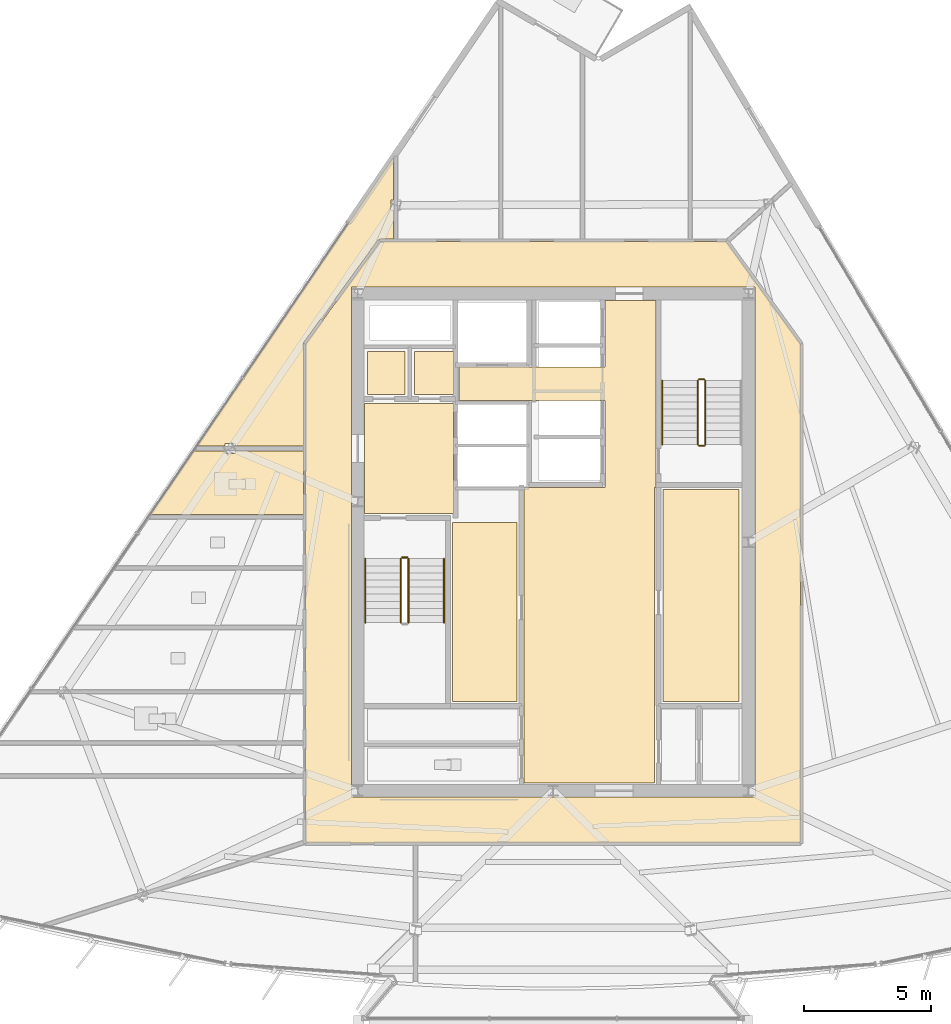
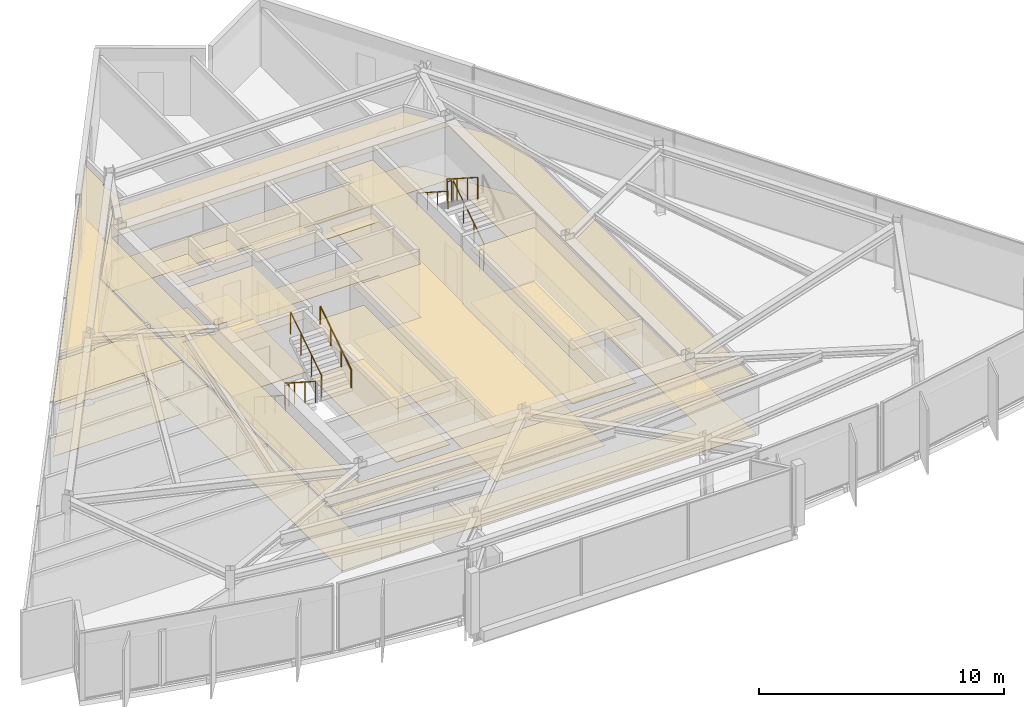
# One storey, part 12 of 14: 18 coverings, 10 railings.
"""IFC4 building model written with IfcOpenShell, lengths in metres."""

from ifc_helpers import new_model, si_unit, direction, frame, origin, origin_2d, place, context, subcontext, project, spatial, polyline, circle, outline, extrude, material, layer, layer_set, type_object, element, save


model = new_model("IFC4")

# Units and contexts
model_context = context("Model", 3, precision=1e-05, world=origin(), true_north=direction((0.0, 1.0)))
body_context = subcontext(model_context, "Body", "Model", "MODEL_VIEW")
ifc_project = project(units=[si_unit("LENGTHUNIT", "METRE"), si_unit("AREAUNIT", "SQUARE_METRE"), si_unit("VOLUMEUNIT", "CUBIC_METRE"), si_unit("PLANEANGLEUNIT", "RADIAN"), si_unit("MASSUNIT", "GRAM", prefix="KILO")], contexts=[model_context])

# Site, building, storey
site_placement = place(None, origin())
site = spatial("IfcSite", under=ifc_project, at=site_placement, CompositionType="ELEMENT")
building_placement = place(site_placement, origin())
building = spatial("IfcBuilding", under=site, at=building_placement, Name="Savorim Split Tower", CompositionType="ELEMENT")
storey_placement = place(building_placement, frame((0.0, 0.0, 234.300048828125)))
storey = spatial("IfcBuildingStorey", under=building, at=storey_placement, Name="L62", CompositionType="ELEMENT", Elevation=234.300048828125)

# Coverings
ifc_material_1 = material(Name="Mineral Fibre Acoustic Ceiling")
ifc_layer_1 = layer(ifc_material_1, 0.02490234375)
ifc_layer_set_1 = layer_set([ifc_layer_1], Name="COV-CEIL-25")
covering_type_1 = type_object("IfcCoveringType", Name="COV-CEIL-25", PredefinedType="CEILING", material=ifc_layer_set_1)
covering_1_placement = place(storey_placement, frame((0.0, 0.0, 2.669921875)))
element("IfcCovering", 1, at=covering_1_placement, inside=storey, type_object=covering_type_1, Name="L62 Firefighting Lift Lobby Acoustic Ceiling", PredefinedType="CEILING", context=body_context, shape_type="SweptSolid", body=[
    extrude(outline(polyline([(-7.429931640625, 5.8701171875), (-7.429931640625, 1.530029296875), (-3.929931640625, 1.530029296875), (-3.929931640625, 5.8701171875), (-7.429931640625, 5.8701171875)])), origin(), (0.0, 0.0, 1.0), 0.025146484375),
])
covering_2_placement = place(storey_placement, frame((0.0, 0.0, 2.669921875)))
element("IfcCovering", 2, at=covering_2_placement, inside=storey, type_object=covering_type_1, Name="L62 Electrical Riser Acoustic Ceiling", PredefinedType="CEILING", context=body_context, shape_type="SweptSolid", body=[
    extrude(outline(polyline([(-7.320068359375, 7.919921875), (-7.320068359375, 6.22998046875), (-5.830078125, 6.22998046875), (-5.830078125, 7.919921875), (-7.320068359375, 7.919921875)])), origin(), (0.0, 0.0, 1.0), 0.025146484375),
])
covering_3_placement = place(storey_placement, frame((0.0, 0.0, 2.669921875)))
element("IfcCovering", 3, at=covering_3_placement, inside=storey, type_object=covering_type_1, Name="L62 Telecom Riser Acoustic Ceiling", PredefinedType="CEILING", context=body_context, shape_type="SweptSolid", body=[
    extrude(outline(polyline([(-5.469970703125, 7.919921875), (-5.469970703125, 6.22998046875), (-3.929931640625, 6.22998046875), (-3.929931640625, 7.919921875), (-5.469970703125, 7.919921875)])), origin(), (0.0, 0.0, 1.0), 0.025146484375),
])
covering_4_placement = place(storey_placement, frame((0.0, 0.0, 2.669921875)))
element("IfcCovering", 4, at=covering_4_placement, inside=storey, type_object=covering_type_1, Name="L62 Lift Lobby Acoustic Ceiling", PredefinedType="CEILING", context=body_context, shape_type="SweptSolid", body=[
    extrude(outline(polyline([(2.050048828125, 2.550048828125), (-1.14990234375, 2.550048828125), (-1.14990234375, -9.10009765625), (4.0, -9.10009765625), (4.0, 2.550048828125), (4.050048828125, 2.550048828125), (4.050048828125, 5.97998046875), (4.050048828125, 7.300048828125), (4.050048828125, 9.929931640625), (2.050048828125, 9.929931640625), (2.050048828125, 7.300048828125), (-3.699951171875, 7.300048828125), (-3.699951171875, 5.97998046875), (2.050048828125, 5.97998046875), (2.050048828125, 2.550048828125)])), origin(), (0.0, 0.0, 1.0), 0.025146484375),
])
covering_5_placement = place(storey_placement, frame((0.0, 0.0, 2.669921875)))
element("IfcCovering", 5, at=covering_5_placement, inside=storey, type_object=covering_type_1, Name="L62 Shared Pantry and Linen Room Acoustic Ceiling", PredefinedType="CEILING", context=body_context, shape_type="SweptSolid", body=[
    extrude(outline(polyline([(4.330078125, 2.469970703125), (4.330078125, -5.8701171875), (7.320068359375, -5.8701171875), (7.320068359375, 2.469970703125), (4.330078125, 2.469970703125)])), origin(), (0.0, 0.0, 1.0), 0.025146484375),
])
covering_6_placement = place(storey_placement, frame((0.0, 0.0, 2.669921875)))
element("IfcCovering", 6, at=covering_6_placement, inside=storey, type_object=covering_type_1, Name="L62 Housekeeping and Parcel Room Acoustic Ceiling", PredefinedType="CEILING", context=body_context, shape_type="SweptSolid", body=[
    extrude(outline(polyline([(-3.969970703125, 1.169921875), (-3.969970703125, -5.8701171875), (-1.429931640625, -5.8701171875), (-1.429931640625, 1.169921875), (-3.969970703125, 1.169921875)])), origin(), (0.0, 0.0, 1.0), 0.025146484375),
])
covering_7_placement = place(storey_placement, frame((0.0, 0.0, 2.669921875)))
element("IfcCovering", 7, at=covering_7_placement, inside=storey, type_object=covering_type_1, Name="L62 Corridor Acoustic Ceiling", PredefinedType="CEILING", context=body_context, shape_type="SweptSolid", body=[
    extrude(outline(polyline([(6.809326171875, 12.2490234375), (6.8046875, 12.249755859375), (6.800048828125, 12.25), (-6.800048828125, 12.25), (-6.8046875, 12.249755859375), (-6.809326171875, 12.2490234375), (-6.81396484375, 12.248046875), (-6.818359375, 12.24658203125), (-6.82275390625, 12.244384765625), (-6.826904296875, 12.2421875), (-6.830810546875, 12.239501953125), (-6.834228515625, 12.236328125), (-6.83740234375, 12.23291015625), (-6.840576171875, 12.229248046875), (-9.740478515625, 8.229248046875), (-9.743408203125, 8.22509765625), (-9.74560546875, 8.22021484375), (-9.74755859375, 8.21533203125), (-9.748779296875, 8.21044921875), (-9.749755859375, 8.205078125), (-9.75, 8.199951171875), (-9.75, -11.39990234375), (-9.749755859375, -11.40478515625), (-9.7490234375, -11.409912109375), (-9.747802734375, -11.41455078125), (-9.74609375, -11.419189453125), (-9.744140625, -11.423583984375), (-9.74169921875, -11.427734375), (-9.73876953125, -11.431640625), (-9.7353515625, -11.435302734375), (-9.731689453125, -11.438720703125), (-9.727783203125, -11.441650390625), (-9.7236328125, -11.444091796875), (-9.718994140625, -11.4462890625), (-9.714599609375, -11.44775390625), (-9.709716796875, -11.448974609375), (-9.704833984375, -11.44970703125), (-9.699951171875, -11.449951171875), (9.699951171875, -11.449951171875), (9.704833984375, -11.44970703125), (9.709716796875, -11.448974609375), (9.714599609375, -11.44775390625), (9.718994140625, -11.4462890625), (9.7236328125, -11.444091796875), (9.727783203125, -11.441650390625), (9.731689453125, -11.438720703125), (9.7353515625, -11.435302734375), (9.73876953125, -11.431640625), (9.74169921875, -11.427734375), (9.744140625, -11.423583984375), (9.74609375, -11.419189453125), (9.747802734375, -11.41455078125), (9.7490234375, -11.409912109375), (9.749755859375, -11.40478515625), (9.75, -11.39990234375), (9.75, 8.199951171875), (9.749755859375, 8.205078125), (9.748779296875, 8.21044921875), (9.74755859375, 8.21533203125), (9.74560546875, 8.22021484375), (9.743408203125, 8.22509765625), (9.740478515625, 8.229248046875), (6.840576171875, 12.229248046875), (6.83740234375, 12.23291015625), (6.834228515625, 12.236328125), (6.830810546875, 12.239501953125), (6.826904296875, 12.2421875), (6.82275390625, 12.244384765625), (6.818359375, 12.24658203125), (6.81396484375, 12.248046875), (6.809326171875, 12.2490234375)]), holes=[polyline([(-7.949951171875, 10.449951171875), (-7.949951171875, -9.64990234375), (7.949951171875, -9.64990234375), (7.949951171875, 10.449951171875), (-7.949951171875, 10.449951171875)])]), origin(), (0.0, 0.0, 1.0), 0.025146484375),
])
covering_8_placement = place(storey_placement, frame((0.0, 0.0, 2.669921875)))
element("IfcCovering", 8, at=covering_8_placement, inside=storey, type_object=covering_type_1, Name="L62 Quiet Study Room Acoustic Ceiling", PredefinedType="CEILING", context=body_context, shape_type="SweptSolid", body=[
    extrude(outline(polyline([(-6.813232421875, 12.33935546875), (-6.800048828125, 12.340087890625), (-6.296875, 12.340087890625), (-6.296875, 13.48828125), (-6.398681640625, 13.48828125), (-6.398681640625, 13.88037109375), (-6.296875, 13.88037109375), (-6.296875, 15.576171875), (-14.043212890625, 4.189208984375), (-12.9228515625, 4.189208984375), (-12.9228515625, 4.2900390625), (-12.52880859375, 4.2900390625), (-12.52880859375, 4.189208984375), (-9.840087890625, 4.189208984375), (-9.840087890625, 8.199951171875), (-9.839111328125, 8.214599609375), (-9.8369140625, 8.22900390625), (-9.833251953125, 8.2431640625), (-9.827880859375, 8.2568359375), (-9.8212890625, 8.27001953125), (-9.813232421875, 8.2822265625), (-6.913330078125, 12.2822265625), (-6.905029296875, 12.29248046875), (-6.89599609375, 12.302001953125), (-6.885986328125, 12.310546875), (-6.875, 12.318115234375), (-6.863525390625, 12.32470703125), (-6.8515625, 12.330078125), (-6.839111328125, 12.33447265625), (-6.826416015625, 12.33740234375), (-6.813232421875, 12.33935546875)])), origin(), (0.0, 0.0, 1.0), 0.025146484375),
])
covering_9_placement = place(storey_placement, frame((0.0, 0.0, 2.669921875)))
element("IfcCovering", 9, at=covering_9_placement, inside=storey, type_object=covering_type_1, Name="L62 Shared Bathroom Acoustic Ceiling", PredefinedType="CEILING", context=body_context, shape_type="SweptSolid", body=[
    extrude(outline(polyline([(-12.9228515625, 3.9990234375), (-14.04736328125, 3.9990234375), (-14.142333984375, 3.9990234375), (-14.142333984375, 4.043212890625), (-15.884521484375, 1.482177734375), (-9.840087890625, 1.482177734375), (-9.840087890625, 3.9990234375), (-12.52880859375, 3.9990234375), (-12.52880859375, 3.898193359375), (-12.9228515625, 3.898193359375), (-12.9228515625, 3.9990234375)])), origin(), (0.0, 0.0, 1.0), 0.025146484375),
])
ifc_material_2 = material(Name="Porcelain Stoneware Flooring", Category="masonry")
ifc_layer_2 = layer(ifc_material_2, 0.02001953125)
ifc_layer_set_2 = layer_set([ifc_layer_2], Name="COV-FLOR-20")
covering_type_2 = type_object("IfcCoveringType", Name="COV-FLOR-20", PredefinedType="FLOORING", material=ifc_layer_set_2)
covering_10_placement = place(storey_placement, origin())
element("IfcCovering", 10, at=covering_10_placement, inside=storey, type_object=covering_type_2, Name="L62 Firefighting Lift Lobby Porcelain Flooring", PredefinedType="FLOORING", context=body_context, shape_type="SweptSolid", body=[
    extrude(outline(polyline([(-7.429931640625, 5.8701171875), (-7.429931640625, 1.530029296875), (-3.929931640625, 1.530029296875), (-3.929931640625, 5.8701171875), (-7.429931640625, 5.8701171875)])), origin(), (0.0, 0.0, 1.0), 0.02001953125),
])
covering_11_placement = place(storey_placement, origin())
element("IfcCovering", 11, at=covering_11_placement, inside=storey, type_object=covering_type_2, Name="L62 Electrical Riser Porcelain Flooring", PredefinedType="FLOORING", context=body_context, shape_type="SweptSolid", body=[
    extrude(outline(polyline([(-7.320068359375, 7.919921875), (-7.320068359375, 6.22998046875), (-5.830078125, 6.22998046875), (-5.830078125, 7.919921875), (-7.320068359375, 7.919921875)])), origin(), (0.0, 0.0, 1.0), 0.02001953125),
])
covering_12_placement = place(storey_placement, origin())
element("IfcCovering", 12, at=covering_12_placement, inside=storey, type_object=covering_type_2, Name="L62 Telecom Riser Porcelain Flooring", PredefinedType="FLOORING", context=body_context, shape_type="SweptSolid", body=[
    extrude(outline(polyline([(-5.469970703125, 7.919921875), (-5.469970703125, 6.22998046875), (-3.929931640625, 6.22998046875), (-3.929931640625, 7.919921875), (-5.469970703125, 7.919921875)])), origin(), (0.0, 0.0, 1.0), 0.02001953125),
])
covering_13_placement = place(storey_placement, origin())
element("IfcCovering", 13, at=covering_13_placement, inside=storey, type_object=covering_type_2, Name="L62 Lift Lobby Porcelain Flooring", PredefinedType="FLOORING", context=body_context, shape_type="SweptSolid", body=[
    extrude(outline(polyline([(2.050048828125, 2.550048828125), (-1.14990234375, 2.550048828125), (-1.14990234375, -9.10009765625), (4.0, -9.10009765625), (4.0, 2.550048828125), (4.050048828125, 2.550048828125), (4.050048828125, 5.97998046875), (4.050048828125, 7.300048828125), (4.050048828125, 9.929931640625), (2.050048828125, 9.929931640625), (2.050048828125, 7.300048828125), (-3.699951171875, 7.300048828125), (-3.699951171875, 5.97998046875), (2.050048828125, 5.97998046875), (2.050048828125, 2.550048828125)])), origin(), (0.0, 0.0, 1.0), 0.02001953125),
])
covering_14_placement = place(storey_placement, origin())
element("IfcCovering", 14, at=covering_14_placement, inside=storey, type_object=covering_type_2, Name="L62 Shared Pantry and Linen Room Porcelain Flooring", PredefinedType="FLOORING", context=body_context, shape_type="SweptSolid", body=[
    extrude(outline(polyline([(4.330078125, 2.469970703125), (4.330078125, -5.8701171875), (7.320068359375, -5.8701171875), (7.320068359375, 2.469970703125), (4.330078125, 2.469970703125)])), origin(), (0.0, 0.0, 1.0), 0.02001953125),
])
covering_15_placement = place(storey_placement, origin())
element("IfcCovering", 15, at=covering_15_placement, inside=storey, type_object=covering_type_2, Name="L62 Housekeeping and Parcel Room Porcelain Flooring", PredefinedType="FLOORING", context=body_context, shape_type="SweptSolid", body=[
    extrude(outline(polyline([(-3.969970703125, 1.169921875), (-3.969970703125, -5.8701171875), (-1.429931640625, -5.8701171875), (-1.429931640625, 1.169921875), (-3.969970703125, 1.169921875)])), origin(), (0.0, 0.0, 1.0), 0.02001953125),
])
covering_16_placement = place(storey_placement, origin())
element("IfcCovering", 16, at=covering_16_placement, inside=storey, type_object=covering_type_2, Name="L62 Corridor Porcelain Flooring", PredefinedType="FLOORING", context=body_context, shape_type="SweptSolid", body=[
    extrude(outline(polyline([(6.809326171875, 12.2490234375), (6.8046875, 12.249755859375), (6.800048828125, 12.25), (-6.800048828125, 12.25), (-6.8046875, 12.249755859375), (-6.809326171875, 12.2490234375), (-6.81396484375, 12.248046875), (-6.818359375, 12.24658203125), (-6.82275390625, 12.244384765625), (-6.826904296875, 12.2421875), (-6.830810546875, 12.239501953125), (-6.834228515625, 12.236328125), (-6.83740234375, 12.23291015625), (-6.840576171875, 12.229248046875), (-9.740478515625, 8.229248046875), (-9.743408203125, 8.22509765625), (-9.74560546875, 8.22021484375), (-9.74755859375, 8.21533203125), (-9.748779296875, 8.21044921875), (-9.749755859375, 8.205078125), (-9.75, 8.199951171875), (-9.75, -11.39990234375), (-9.749755859375, -11.40478515625), (-9.7490234375, -11.409912109375), (-9.747802734375, -11.41455078125), (-9.74609375, -11.419189453125), (-9.744140625, -11.423583984375), (-9.74169921875, -11.427734375), (-9.73876953125, -11.431640625), (-9.7353515625, -11.435302734375), (-9.731689453125, -11.438720703125), (-9.727783203125, -11.441650390625), (-9.7236328125, -11.444091796875), (-9.718994140625, -11.4462890625), (-9.714599609375, -11.44775390625), (-9.709716796875, -11.448974609375), (-9.704833984375, -11.44970703125), (-9.699951171875, -11.449951171875), (9.699951171875, -11.449951171875), (9.704833984375, -11.44970703125), (9.709716796875, -11.448974609375), (9.714599609375, -11.44775390625), (9.718994140625, -11.4462890625), (9.7236328125, -11.444091796875), (9.727783203125, -11.441650390625), (9.731689453125, -11.438720703125), (9.7353515625, -11.435302734375), (9.73876953125, -11.431640625), (9.74169921875, -11.427734375), (9.744140625, -11.423583984375), (9.74609375, -11.419189453125), (9.747802734375, -11.41455078125), (9.7490234375, -11.409912109375), (9.749755859375, -11.40478515625), (9.75, -11.39990234375), (9.75, 8.199951171875), (9.749755859375, 8.205078125), (9.748779296875, 8.21044921875), (9.74755859375, 8.21533203125), (9.74560546875, 8.22021484375), (9.743408203125, 8.22509765625), (9.740478515625, 8.229248046875), (6.840576171875, 12.229248046875), (6.83740234375, 12.23291015625), (6.834228515625, 12.236328125), (6.830810546875, 12.239501953125), (6.826904296875, 12.2421875), (6.82275390625, 12.244384765625), (6.818359375, 12.24658203125), (6.81396484375, 12.248046875), (6.809326171875, 12.2490234375)]), holes=[polyline([(-7.949951171875, 10.449951171875), (-7.949951171875, -9.64990234375), (7.949951171875, -9.64990234375), (7.949951171875, 10.449951171875), (-7.949951171875, 10.449951171875)])]), origin(), (0.0, 0.0, 1.0), 0.02001953125),
])
covering_17_placement = place(storey_placement, origin())
element("IfcCovering", 17, at=covering_17_placement, inside=storey, type_object=covering_type_2, Name="L62 Quiet Study Room Porcelain Flooring", PredefinedType="FLOORING", context=body_context, shape_type="SweptSolid", body=[
    extrude(outline(polyline([(-6.813232421875, 12.33935546875), (-6.800048828125, 12.340087890625), (-6.296875, 12.340087890625), (-6.296875, 13.48828125), (-6.398681640625, 13.48828125), (-6.398681640625, 13.88037109375), (-6.296875, 13.88037109375), (-6.296875, 15.576171875), (-14.043212890625, 4.189208984375), (-12.9228515625, 4.189208984375), (-12.9228515625, 4.2900390625), (-12.52880859375, 4.2900390625), (-12.52880859375, 4.189208984375), (-9.840087890625, 4.189208984375), (-9.840087890625, 8.199951171875), (-9.839111328125, 8.214599609375), (-9.8369140625, 8.22900390625), (-9.833251953125, 8.2431640625), (-9.827880859375, 8.2568359375), (-9.8212890625, 8.27001953125), (-9.813232421875, 8.2822265625), (-6.913330078125, 12.2822265625), (-6.905029296875, 12.29248046875), (-6.89599609375, 12.302001953125), (-6.885986328125, 12.310546875), (-6.875, 12.318115234375), (-6.863525390625, 12.32470703125), (-6.8515625, 12.330078125), (-6.839111328125, 12.33447265625), (-6.826416015625, 12.33740234375), (-6.813232421875, 12.33935546875)])), origin(), (0.0, 0.0, 1.0), 0.02001953125),
])
covering_18_placement = place(storey_placement, origin())
element("IfcCovering", 18, at=covering_18_placement, inside=storey, type_object=covering_type_2, Name="L62 Shared Bathroom Porcelain Flooring", PredefinedType="FLOORING", context=body_context, shape_type="SweptSolid", body=[
    extrude(outline(polyline([(-12.9228515625, 3.9990234375), (-14.04736328125, 3.9990234375), (-14.142333984375, 3.9990234375), (-14.142333984375, 4.043212890625), (-15.884521484375, 1.482177734375), (-9.840087890625, 1.482177734375), (-9.840087890625, 3.9990234375), (-12.52880859375, 3.9990234375), (-12.52880859375, 3.898193359375), (-12.9228515625, 3.898193359375), (-12.9228515625, 3.9990234375)])), origin(), (0.0, 0.0, 1.0), 0.02001953125),
])

# Railings
ifc_material_3 = material(Name="Galvanised Painted Steel Balustrade", Category="steel")
railing_type_1 = type_object("IfcRailingType", Name="RLG-HR-900", PredefinedType="HANDRAIL", material=ifc_material_3)
railing_1_placement = place(storey_placement, frame((-7.39990234375, -0.25, 0.179931640625)))
element("IfcRailing", 19, at=railing_1_placement, inside=storey, type_object=railing_type_1, Name="L62 ST-1 stair handrail 1", PredefinedType="HANDRAIL", context=body_context, shape_type="SweptSolid", body=[
    extrude(circle(Radius=0.02392578125, at=origin_2d()), frame((0.0, 0.0, 0.8759765625), z_axis=(0.0, -0.841162588446, 0.540782303519), x_axis=(1.0, 0.0, 0.0)), (0.0, 0.0, 1.0), 2.995849609375),
    extrude(circle(Radius=0.02099609375, at=origin_2d()), origin(), (0.0, 0.0, 1.0), 0.851806640625),
    extrude(circle(Radius=0.02099609375, at=origin_2d()), frame((0.0, -0.840087890625, 0.5400390625)), (0.0, 0.0, 1.0), 0.851806640625),
    extrude(circle(Radius=0.02099609375, at=origin_2d()), frame((0.0, -1.679931640625, 1.080078125)), (0.0, 0.0, 1.0), 0.851806640625),
    extrude(circle(Radius=0.02099609375, at=origin_2d()), frame((0.0, -2.52001953125, 1.6201171875)), (0.0, 0.0, 1.0), 0.851806640625),
])
railing_2_placement = place(storey_placement, frame((-4.300048828125, -2.77001953125, 1.97998046875)))
element("IfcRailing", 20, at=railing_2_placement, inside=storey, type_object=railing_type_1, Name="L62 ST-1 stair handrail 2", PredefinedType="HANDRAIL", context=body_context, shape_type="SweptSolid", body=[
    extrude(circle(Radius=0.02392578125, at=origin_2d()), frame((0.0, 0.0, 0.8759765625), z_axis=(0.0, 0.841199657755, 0.540724639528), x_axis=(-1.0, 0.0, 0.0)), (0.0, 0.0, 1.0), 2.995849609375),
    extrude(circle(Radius=0.02099609375, at=origin_2d()), origin(), (0.0, 0.0, 1.0), 0.851806640625),
    extrude(circle(Radius=0.02099609375, at=origin_2d()), frame((0.0, 0.840087890625, 0.5400390625)), (0.0, 0.0, 1.0), 0.851806640625),
    extrude(circle(Radius=0.02099609375, at=origin_2d()), frame((0.0, 1.679931640625, 1.079833984375)), (0.0, 0.0, 1.0), 0.851806640625),
    extrude(circle(Radius=0.02099609375, at=origin_2d()), frame((0.0, 2.52001953125, 1.619873046875)), (0.0, 0.0, 1.0), 0.851806640625),
])
railing_3_placement = place(storey_placement, frame((4.300048828125, 6.77001953125, 1.97998046875)))
element("IfcRailing", 21, at=railing_3_placement, inside=storey, type_object=railing_type_1, Name="L62 ST-2 stair handrail 2", PredefinedType="HANDRAIL", context=body_context, shape_type="SweptSolid", body=[
    extrude(circle(Radius=0.02392578125, at=origin_2d()), frame((0.0, 0.0, 0.8759765625), z_axis=(0.0, -0.841199657755, 0.540724639528), x_axis=(1.0, 0.0, 0.0)), (0.0, 0.0, 1.0), 2.995849609375),
    extrude(circle(Radius=0.02099609375, at=origin_2d()), origin(), (0.0, 0.0, 1.0), 0.851806640625),
    extrude(circle(Radius=0.02099609375, at=origin_2d()), frame((0.0, -0.840087890625, 0.5400390625)), (0.0, 0.0, 1.0), 0.851806640625),
    extrude(circle(Radius=0.02099609375, at=origin_2d()), frame((0.0, -1.679931640625, 1.079833984375)), (0.0, 0.0, 1.0), 0.851806640625),
    extrude(circle(Radius=0.02099609375, at=origin_2d()), frame((0.0, -2.52001953125, 1.619873046875)), (0.0, 0.0, 1.0), 0.851806640625),
])
railing_type_2 = type_object("IfcRailingType", Name="RLG-STG-1100", PredefinedType="BALUSTRADE", material=ifc_material_3)
railing_4_placement = place(storey_placement, frame((-6.0, -0.25, 0.179931640625)))
element("IfcRailing", 22, at=railing_4_placement, inside=storey, type_object=railing_type_2, Name="L62 ST-1 stair guard 1", PredefinedType="BALUSTRADE", context=body_context, shape_type="SweptSolid", body=[
    extrude(circle(Radius=0.02392578125, at=origin_2d()), frame((0.0, 0.0, 1.076171875), z_axis=(0.0, -0.841162588446, 0.540782303519), x_axis=(1.0, 0.0, 0.0)), (0.0, 0.0, 1.0), 2.995849609375),
    extrude(circle(Radius=0.02099609375, at=origin_2d()), origin(), (0.0, 0.0, 1.0), 1.052001953125),
    extrude(circle(Radius=0.02099609375, at=origin_2d()), frame((0.0, -0.840087890625, 0.5400390625)), (0.0, 0.0, 1.0), 1.052001953125),
    extrude(circle(Radius=0.02099609375, at=origin_2d()), frame((0.0, -1.679931640625, 1.080078125)), (0.0, 0.0, 1.0), 1.052001953125),
    extrude(circle(Radius=0.02099609375, at=origin_2d()), frame((0.0, -2.52001953125, 1.6201171875)), (0.0, 0.0, 1.0), 1.052001953125),
])
railing_5_placement = place(storey_placement, frame((-5.699951171875, -2.77001953125, 1.97998046875)))
element("IfcRailing", 23, at=railing_5_placement, inside=storey, type_object=railing_type_2, Name="L62 ST-1 stair guard 3", PredefinedType="BALUSTRADE", context=body_context, shape_type="SweptSolid", body=[
    extrude(circle(Radius=0.02392578125, at=origin_2d()), frame((0.0, 0.0, 1.076171875), z_axis=(0.0, 0.841199657755, 0.540724639528), x_axis=(-1.0, 0.0, 0.0)), (0.0, 0.0, 1.0), 2.995849609375),
    extrude(circle(Radius=0.02099609375, at=origin_2d()), origin(), (0.0, 0.0, 1.0), 1.052001953125),
    extrude(circle(Radius=0.02099609375, at=origin_2d()), frame((0.0, 0.840087890625, 0.5400390625)), (0.0, 0.0, 1.0), 1.052001953125),
    extrude(circle(Radius=0.02099609375, at=origin_2d()), frame((0.0, 1.679931640625, 1.079833984375)), (0.0, 0.0, 1.0), 1.052001953125),
    extrude(circle(Radius=0.02099609375, at=origin_2d()), frame((0.0, 2.52001953125, 1.619873046875)), (0.0, 0.0, 1.0), 1.052001953125),
])
railing_6_placement = place(storey_placement, frame((-5.949951171875, -0.199951171875, 0.0)))
element("IfcRailing", 24, at=railing_6_placement, inside=storey, type_object=railing_type_2, Name="L62 ST-1 stair guard 4", PredefinedType="BALUSTRADE", context=body_context, shape_type="SweptSolid", body=[
    extrude(circle(Radius=0.02392578125, at=origin_2d()), frame((0.0, 0.0, 1.076171875), z_axis=(1.0, 0.0, 0.0), x_axis=(0.0, 1.0, 0.0)), (0.0, 0.0, 1.0), 0.199951171875),
    extrude(circle(Radius=0.02099609375, at=origin_2d()), origin(), (0.0, 0.0, 1.0), 1.052001953125),
    extrude(circle(Radius=0.02099609375, at=origin_2d()), frame((0.199951171875, 0.0, 0.0)), (0.0, 0.0, 1.0), 1.052001953125),
])
railing_7_placement = place(storey_placement, frame((6.0, 4.25, 0.179931640625)))
element("IfcRailing", 25, at=railing_7_placement, inside=storey, type_object=railing_type_2, Name="L62 ST-2 stair guard 1", PredefinedType="BALUSTRADE", context=body_context, shape_type="SweptSolid", body=[
    extrude(circle(Radius=0.02392578125, at=origin_2d()), frame((0.0, 0.0, 1.076171875), z_axis=(0.0, 0.841162588446, 0.540782303519), x_axis=(-1.0, 0.0, 0.0)), (0.0, 0.0, 1.0), 2.995849609375),
    extrude(circle(Radius=0.02099609375, at=origin_2d()), origin(), (0.0, 0.0, 1.0), 1.052001953125),
    extrude(circle(Radius=0.02099609375, at=origin_2d()), frame((0.0, 0.840087890625, 0.5400390625)), (0.0, 0.0, 1.0), 1.052001953125),
    extrude(circle(Radius=0.02099609375, at=origin_2d()), frame((0.0, 1.679931640625, 1.080078125)), (0.0, 0.0, 1.0), 1.052001953125),
    extrude(circle(Radius=0.02099609375, at=origin_2d()), frame((0.0, 2.52001953125, 1.6201171875)), (0.0, 0.0, 1.0), 1.052001953125),
])
railing_8_placement = place(storey_placement, frame((5.949951171875, 6.820068359375, 1.800048828125)))
element("IfcRailing", 26, at=railing_8_placement, inside=storey, type_object=railing_type_2, Name="L62 ST-2 stair guard 2", PredefinedType="BALUSTRADE", context=body_context, shape_type="SweptSolid", body=[
    extrude(circle(Radius=0.02392578125, at=origin_2d()), frame((0.0, 0.0, 1.076171875), z_axis=(-1.0, 0.0, 0.0), x_axis=(0.0, -1.0, 0.0)), (0.0, 0.0, 1.0), 0.199951171875),
    extrude(circle(Radius=0.02099609375, at=origin_2d()), origin(), (0.0, 0.0, 1.0), 1.052001953125),
    extrude(circle(Radius=0.02099609375, at=origin_2d()), frame((-0.199951171875, 0.0, 0.0)), (0.0, 0.0, 1.0), 1.052001953125),
])
railing_9_placement = place(storey_placement, frame((5.699951171875, 6.77001953125, 1.97998046875)))
element("IfcRailing", 27, at=railing_9_placement, inside=storey, type_object=railing_type_2, Name="L62 ST-2 stair guard 3", PredefinedType="BALUSTRADE", context=body_context, shape_type="SweptSolid", body=[
    extrude(circle(Radius=0.02392578125, at=origin_2d()), frame((0.0, 0.0, 1.076171875), z_axis=(0.0, -0.841199657755, 0.540724639528), x_axis=(1.0, 0.0, 0.0)), (0.0, 0.0, 1.0), 2.995849609375),
    extrude(circle(Radius=0.02099609375, at=origin_2d()), origin(), (0.0, 0.0, 1.0), 1.052001953125),
    extrude(circle(Radius=0.02099609375, at=origin_2d()), frame((0.0, -0.840087890625, 0.5400390625)), (0.0, 0.0, 1.0), 1.052001953125),
    extrude(circle(Radius=0.02099609375, at=origin_2d()), frame((0.0, -1.679931640625, 1.079833984375)), (0.0, 0.0, 1.0), 1.052001953125),
    extrude(circle(Radius=0.02099609375, at=origin_2d()), frame((0.0, -2.52001953125, 1.619873046875)), (0.0, 0.0, 1.0), 1.052001953125),
])
railing_10_placement = place(storey_placement, frame((5.949951171875, 4.199951171875, 0.0)))
element("IfcRailing", 28, at=railing_10_placement, inside=storey, type_object=railing_type_2, Name="L62 ST-2 stair guard 4", PredefinedType="BALUSTRADE", context=body_context, shape_type="SweptSolid", body=[
    extrude(circle(Radius=0.02392578125, at=origin_2d()), frame((0.0, 0.0, 1.076171875), z_axis=(-1.0, 0.0, 0.0), x_axis=(0.0, -1.0, 0.0)), (0.0, 0.0, 1.0), 0.199951171875),
    extrude(circle(Radius=0.02099609375, at=origin_2d()), origin(), (0.0, 0.0, 1.0), 1.052001953125),
    extrude(circle(Radius=0.02099609375, at=origin_2d()), frame((-0.199951171875, 0.0, 0.0)), (0.0, 0.0, 1.0), 1.052001953125),
])

save(model, "model.ifc")
